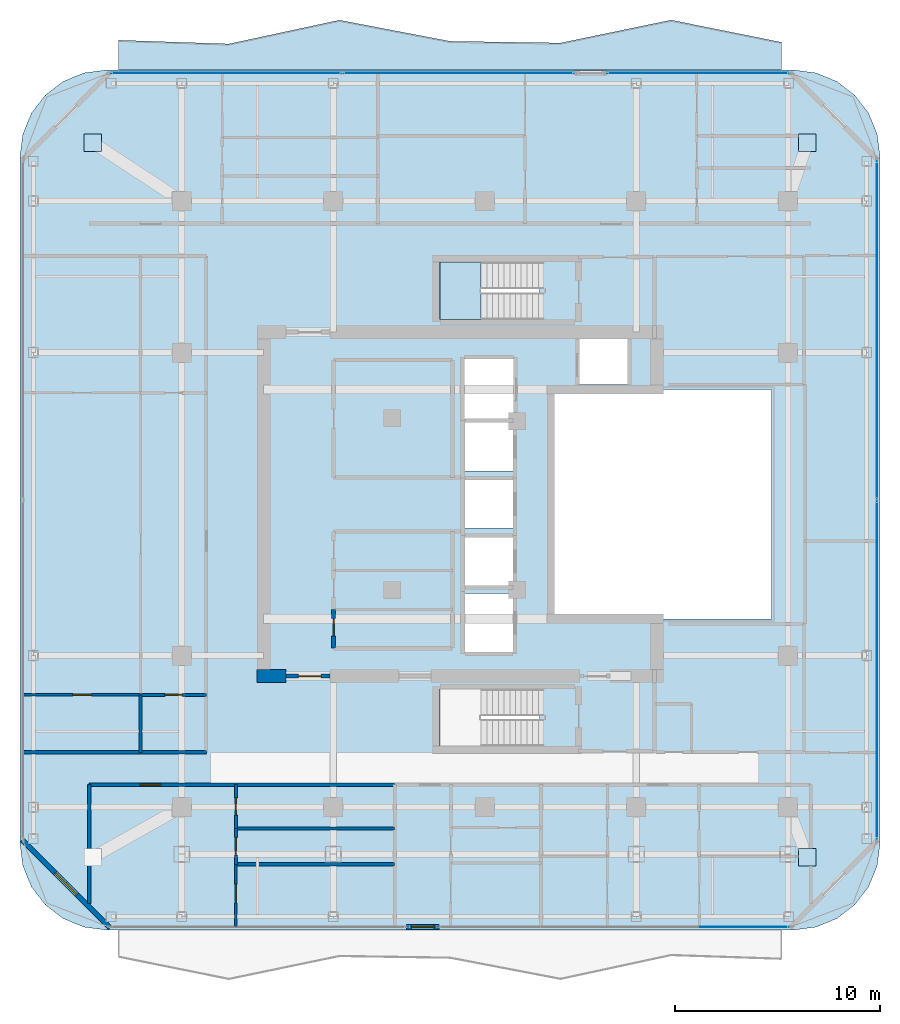
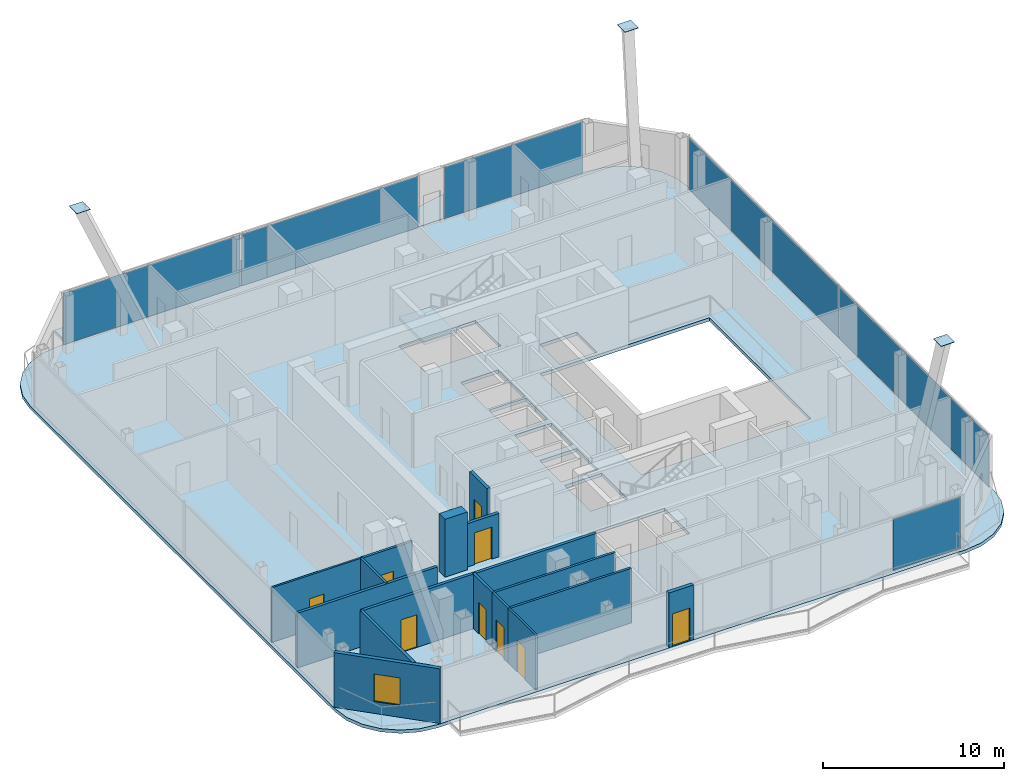
# One storey, part 17 of 24: 16 walls, 10 plates, 9 doors, 3 slabs, 1 window, 10 openings, 5 elements without a shape of their own.
"""IFC4 building model written with IfcOpenShell, lengths in metres."""

from ifc_helpers import new_model, si_unit, direction, frame, frame_2d, origin, origin_2d, place, context, subcontext, project, spatial, polyline, rectangle, outline, extrude, material, layer, layer_set, type_object, element, fill, aggregate, save


model = new_model("IFC4")

# Units and contexts
model_context = context("Model", 3, precision=1e-05, world=origin(), true_north=direction((0.0, 1.0)))
body_context = subcontext(model_context, "Body", "Model", "MODEL_VIEW")
ifc_project = project(units=[si_unit("LENGTHUNIT", "METRE"), si_unit("AREAUNIT", "SQUARE_METRE"), si_unit("VOLUMEUNIT", "CUBIC_METRE"), si_unit("PLANEANGLEUNIT", "RADIAN"), si_unit("MASSUNIT", "GRAM", prefix="KILO")], contexts=[model_context])

# Site, building, storey
site_placement = place(None, origin())
site = spatial("IfcSite", under=ifc_project, at=site_placement, CompositionType="ELEMENT")
building_placement = place(site_placement, origin())
building = spatial("IfcBuilding", under=site, at=building_placement, Name="Khorvyn Point Tower", CompositionType="ELEMENT")
storey_placement = place(building_placement, frame((0.0, 0.0, 301.5)))
storey = spatial("IfcBuildingStorey", under=building, at=storey_placement, Name="L74", CompositionType="ELEMENT", Elevation=301.5)

# Slabs
ifc_material_1 = material(Name="Concrete C35/45", Category="concrete")
ifc_layer_1 = layer(ifc_material_1, 0.219970703125)
ifc_layer_set_1 = layer_set([ifc_layer_1], Name="Concrete C35/45 Structural Floor Slab 220")
slab_type_1 = type_object("IfcSlabType", Name="Concrete C35/45 Structural Floor Slab 220", PredefinedType="FLOOR", material=ifc_layer_set_1)
slab_1_placement = place(storey_placement, frame((0.0, 0.0, -0.219970703125)))
element("IfcSlab", 1, at=slab_1_placement, inside=storey, type_object=slab_type_1, Name="L74 Main Structural Floor Slab", PredefinedType="FLOOR", context=body_context, shape_type="SweptSolid", body=[
    extrude(outline(polyline([(-18.5, -20.800048828125), (-19.5869140625, -20.656982421875), (-20.60009765625, -20.2373046875), (-21.4697265625, -19.56982421875), (-22.13720703125, -18.699951171875), (-22.556884765625, -17.68701171875), (-22.699951171875, -16.60009765625), (-22.699951171875, 17.0), (-22.556884765625, 18.0869140625), (-22.13720703125, 19.10009765625), (-21.4697265625, 19.9697265625), (-20.60009765625, 20.63720703125), (-19.5869140625, 21.056884765625), (-18.5, 21.199951171875), (15.10009765625, 21.199951171875), (16.18701171875, 21.056884765625), (17.199951171875, 20.63720703125), (18.06982421875, 19.9697265625), (18.7373046875, 19.10009765625), (19.156982421875, 18.0869140625), (19.300048828125, 17.0), (19.300048828125, -16.60009765625), (19.156982421875, -17.68701171875), (18.7373046875, -18.699951171875), (18.06982421875, -19.56982421875), (17.199951171875, -20.2373046875), (16.18701171875, -20.656982421875), (15.10009765625, -20.800048828125), (-18.5, -20.800048828125)]), holes=[polyline([(2.679931640625, -11.820068359375), (2.679931640625, -9.02001953125), (-2.199951171875, -9.02001953125), (-2.199951171875, -11.820068359375), (2.679931640625, -11.820068359375)]), polyline([(1.375, -7.22509765625), (1.375, -4.375), (-0.97509765625, -4.375), (-0.97509765625, -7.22509765625), (1.375, -7.22509765625)]), polyline([(1.375, -3.97509765625), (1.375, -1.625), (-0.97509765625, -1.625), (-0.97509765625, -3.97509765625), (1.375, -3.97509765625)]), polyline([(1.375, -1.175048828125), (1.375, 1.175048828125), (-0.97509765625, 1.175048828125), (-0.97509765625, -1.175048828125), (1.375, -1.175048828125)]), polyline([(14.0, -5.60009765625), (14.0, 5.60009765625), (3.199951171875, 5.60009765625), (3.199951171875, -5.60009765625), (14.0, -5.60009765625)]), polyline([(1.375, 1.625), (1.375, 3.97509765625), (-0.97509765625, 3.97509765625), (-0.97509765625, 1.625), (1.375, 1.625)]), polyline([(1.39990234375, 4.125), (1.39990234375, 7.074951171875), (-1.0, 7.074951171875), (-1.0, 4.125), (1.39990234375, 4.125)]), polyline([(4.625, 5.85009765625), (6.97509765625, 5.85009765625), (6.97509765625, 8.054931640625), (4.625, 8.054931640625), (4.625, 5.85009765625)]), polyline([(-2.199951171875, 9.02001953125), (2.679931640625, 9.02001953125), (2.679931640625, 11.820068359375), (-2.199951171875, 11.820068359375), (-2.199951171875, 9.02001953125)])]), origin(), (0.0, 0.0, 1.0), 0.219970703125),
])
ifc_material_2 = material(Name="Concrete C40/50", Category="concrete")
ifc_layer_2 = layer(ifc_material_2, 0.2099609375)
ifc_layer_set_2 = layer_set([ifc_layer_2], Name="Concrete C40/50 Rippling Balcony Slab 210")
slab_type_2 = type_object("IfcSlabType", Name="Concrete C40/50 Rippling Balcony Slab 210", PredefinedType="USERDEFINED", material=ifc_layer_set_2)
slab_2_placement = place(storey_placement, frame((0.0, 0.0, -0.2099609375)))
element("IfcSlab", 2, at=slab_2_placement, inside=storey, type_object=slab_type_2, Name="L74 North Sinusoidal Rippling Balcony", ObjectType="BALCONY", PredefinedType="USERDEFINED", context=body_context, shape_type="SweptSolid", body=[
    extrude(outline(polyline([(14.5, 21.199951171875), (14.5, 22.554931640625), (9.10009765625, 23.642333984375), (3.699951171875, 22.522705078125), (-1.699951171875, 22.60546875), (-7.10009765625, 23.638427734375), (-12.5, 22.47607421875), (-17.89990234375, 22.65771484375), (-17.89990234375, 21.199951171875), (14.5, 21.199951171875)])), origin(), (0.0, 0.0, 1.0), 0.2099609375),
])

# Stair, slab
stair_type = type_object("IfcStairType", Name="Tower Concrete C40/50 Dogleg Exit Stair", PredefinedType="HALF_TURN_STAIR", material=ifc_material_2)
stair_placement = place(storey_placement, origin())
stair = element("IfcStair", 3, at=stair_placement, inside=storey, type_object=stair_type, Name="L74 Tower Smokeproof Exit Stair North", PredefinedType="HALF_TURN_STAIR")
ifc_layer_3 = layer(ifc_material_2, 0.199951171875)
ifc_layer_set_3 = layer_set([ifc_layer_3], Name="Concrete C40/50 Stair Landing Slab 200")
slab_type_3 = type_object("IfcSlabType", Name="Concrete C40/50 Stair Landing Slab 200", PredefinedType="LANDING", material=ifc_layer_set_3)
slab_3_placement = place(storey_placement, frame((0.0, 0.0, 1.75)))
slab_3 = element("IfcSlab", 4, at=slab_3_placement, type_object=slab_type_3, Name="ST-02 landing 1", PredefinedType="LANDING", context=body_context, shape_type="SweptSolid", body=[
    extrude(outline(polyline([(-0.179931640625, 11.820068359375), (-2.199951171875, 11.820068359375), (-2.199951171875, 9.02001953125), (-0.179931640625, 9.02001953125), (-0.179931640625, 11.820068359375)])), origin(), (0.0, 0.0, 1.0), 0.199951171875),
])
aggregate(stair, [slab_3])

# Plates
ifc_material_3 = material(Name="Steel S450", Category="steel")
ifc_layer_4 = layer(ifc_material_3, 0.031982421875)
ifc_layer_set_4 = layer_set([ifc_layer_4], Name="Steel S450 Exoskeleton End Cap Plate 32")
plate_type_1 = type_object("IfcPlateType", Name="Steel S450 Exoskeleton End Cap Plate 32", PredefinedType="USERDEFINED", material=ifc_layer_set_4)
for number, where, z_axis, x_axis, name in (
    (5, (15.750732421875, -17.251953125, 11.69384765625), (0.0, 0.0, 1.0), (1.0, 0.0, 0.0), "Plate"),
    (6, (15.750732421875, 17.65234375, 11.69384765625), (0.0, 0.0, 1.0), (1.0, 0.0, 0.0), "Plate"),
    (7, (-19.1533203125, 17.652099609375, 11.69287109375), (0.0, 0.0, 1.0), (1.0, 0.0, 0.0), "Plate"),
):
    element("IfcPlate", number, at=place(storey_placement, frame(where, z_axis=z_axis, x_axis=x_axis)), inside=storey, type_object=plate_type_1, Name=name, ObjectType="GUSSET", PredefinedType="USERDEFINED", context=body_context, shape_type="SweptSolid", body=[
        extrude(rectangle(XDim=0.860107421875, YDim=0.860107421875, at=origin_2d()), origin(), (0.0, 0.0, 1.0), 0.031982421875),
    ])

# Curtain wall, plate
ifc_material_4 = material(Name="Anodised aluminium 6063-T6 and laminated Low-E glass", Category="aluminium")
ifc_layer_5 = layer(ifc_material_4, 0.18994140625)
ifc_layer_set_5 = layer_set([ifc_layer_5], Name="Stick-Built High-Wind Curtain Wall CW-SYS-04")
curtain_wall_type = type_object("IfcCurtainWallType", Name="Stick-Built High-Wind Curtain Wall CW-SYS-04", PredefinedType="NOTDEFINED", material=ifc_layer_set_5)
curtain_wall_1_placement = place(storey_placement, origin())
curtain_wall_1 = element("IfcCurtainWall", 8, at=curtain_wall_1_placement, inside=storey, type_object=curtain_wall_type, Name="Curtain Wall", PredefinedType="NOTDEFINED")
ifc_material_5 = material(Name="Laminated Low-E insulated glass", Category="glass")
ifc_layer_6 = layer(ifc_material_5, 0.028076171875)
ifc_layer_set_6 = layer_set([ifc_layer_6], Name="Tempered Low-E Vision Glazing Panel CW-GL28")
plate_type_2 = type_object("IfcPlateType", Name="Tempered Low-E Vision Glazing Panel CW-GL28", PredefinedType="CURTAIN_PANEL", material=ifc_layer_set_6)
plate_1_placement = place(storey_placement, frame((12.68994140625, -20.64990234375, 0.10009765625), z_axis=(0.0, 0.0, 1.0), x_axis=(-1.0, 0.0, 0.0)))
plate_1 = element("IfcPlate", 9, at=plate_1_placement, type_object=plate_type_2, Name="Panel", PredefinedType="CURTAIN_PANEL", context=body_context, shape_type="SweptSolid", body=[
    extrude(rectangle(XDim=4.31201171875, YDim=0.028076171875, at=origin_2d()), origin(), (0.0, 0.0, 1.0), 3.47998046875),
])
aggregate(curtain_wall_1, [plate_1])

# Curtain wall, plates
curtain_wall_2_placement = place(storey_placement, origin())
curtain_wall_2 = element("IfcCurtainWall", 10, at=curtain_wall_2_placement, inside=storey, type_object=curtain_wall_type, Name="Curtain Wall", PredefinedType="NOTDEFINED")
plate_2_placement = place(storey_placement, frame((-12.62646484375, 21.050048828125, 0.10009765625), z_axis=(0.0, 0.0, 1.0), x_axis=(1.0, 0.0, 0.0)))
plate_2 = element("IfcPlate", 11, at=plate_2_placement, type_object=plate_type_2, Name="Panel", PredefinedType="CURTAIN_PANEL", context=body_context, shape_type="SweptSolid", body=[
    extrude(rectangle(XDim=11.2470703125, YDim=0.028076171875, at=origin_2d()), origin(), (0.0, 0.0, 1.0), 3.47998046875),
])
plate_3_placement = place(storey_placement, frame((-6.093505859375, 21.050048828125, 0.10009765625), z_axis=(0.0, 0.0, 1.0), x_axis=(1.0, 0.0, 0.0)))
plate_3 = element("IfcPlate", 12, at=plate_3_placement, type_object=plate_type_2, Name="Panel", PredefinedType="CURTAIN_PANEL", context=body_context, shape_type="SweptSolid", body=[
    extrude(rectangle(XDim=1.611083984375, YDim=0.028076171875, at=origin_2d()), origin(), (0.0, 0.0, 1.0), 3.47998046875),
])
plate_4_placement = place(storey_placement, frame((-0.469970703125, 21.050048828125, 0.10009765625), z_axis=(0.0, 0.0, 1.0), x_axis=(1.0, 0.0, 0.0)))
plate_4 = element("IfcPlate", 13, at=plate_4_placement, type_object=plate_type_2, Name="Panel", PredefinedType="CURTAIN_PANEL", context=body_context, shape_type="SweptSolid", body=[
    extrude(rectangle(XDim=9.6201171875, YDim=0.028076171875, at=origin_2d()), origin(), (0.0, 0.0, 1.0), 3.47998046875),
])
aggregate(curtain_wall_2, [plate_2, plate_3, plate_4])

# Curtain wall, plate
curtain_wall_3_placement = place(storey_placement, origin())
curtain_wall_3 = element("IfcCurtainWall", 14, at=curtain_wall_3_placement, inside=storey, type_object=curtain_wall_type, Name="Curtain Wall", PredefinedType="NOTDEFINED")
plate_5_placement = place(storey_placement, frame((10.4169921875, 21.050048828125, 0.10009765625), z_axis=(0.0, 0.0, 1.0), x_axis=(1.0, 0.0, 0.0)))
plate_5 = element("IfcPlate", 15, at=plate_5_placement, type_object=plate_type_2, Name="Panel", PredefinedType="CURTAIN_PANEL", context=body_context, shape_type="SweptSolid", body=[
    extrude(rectangle(XDim=8.865966796875, YDim=0.028076171875, at=origin_2d()), origin(), (0.0, 0.0, 1.0), 3.47998046875),
])
aggregate(curtain_wall_3, [plate_5])

# Curtain wall, plates
curtain_wall_4_placement = place(storey_placement, origin())
curtain_wall_4 = element("IfcCurtainWall", 16, at=curtain_wall_4_placement, inside=storey, type_object=curtain_wall_type, Name="Curtain Wall", PredefinedType="NOTDEFINED")
plate_6_placement = place(storey_placement, frame((19.14990234375, 8.5, 0.10009765625), z_axis=(0.0, 0.0, 1.0), x_axis=(0.0, -1.0, 0.0)))
plate_6 = element("IfcPlate", 17, at=plate_6_placement, type_object=plate_type_2, Name="Panel", PredefinedType="CURTAIN_PANEL", context=body_context, shape_type="SweptSolid", body=[
    extrude(rectangle(XDim=16.5, YDim=0.028076171875, at=origin_2d()), origin(), (0.0, 0.0, 1.0), 3.47998046875),
])
plate_7_placement = place(storey_placement, frame((19.14990234375, -8.10009765625, 0.10009765625), z_axis=(0.0, 0.0, 1.0), x_axis=(0.0, -1.0, 0.0)))
plate_7 = element("IfcPlate", 18, at=plate_7_placement, type_object=plate_type_2, Name="Panel", PredefinedType="CURTAIN_PANEL", context=body_context, shape_type="SweptSolid", body=[
    extrude(rectangle(XDim=16.5, YDim=0.028076171875, at=origin_2d()), origin(), (0.0, 0.0, 1.0), 3.47998046875),
])
aggregate(curtain_wall_4, [plate_6, plate_7])

# Wall, opening, door
ifc_material_6 = material(Name="Double acoustic gypsum on twin steel stud", Category="steel")
ifc_layer_7 = layer(ifc_material_6, 0.179931640625)
ifc_layer_set_7 = layer_set([ifc_layer_7], Name="Acoustic Double-Stud Apartment Demising Wall 180")
wall_type_1 = type_object("IfcWallType", Name="Acoustic Double-Stud Apartment Demising Wall 180", PredefinedType="PARTITIONING", material=ifc_layer_set_7)
wall_1_placement = place(storey_placement, frame((-19.320068359375, -13.699951171875, 0.0), z_axis=(0.0, 0.0, 1.0), x_axis=(1.0, 0.0, 0.0)))
wall_1 = element("IfcWall", 19, at=wall_1_placement, inside=storey, type_object=wall_type_1, Name="Wall", PredefinedType="PARTITIONING", context=body_context, shape_type="SweptSolid", body=[
    extrude(rectangle(XDim=14.91796875, YDim=0.179931640625, at=frame_2d((7.458984375, 0.0))), origin(), (0.0, 0.0, 1.0), 3.679931640625),
])
opening_1_placement = place(wall_1_placement, frame((2.486083984375, 0.0, 0.0)))
opening_1 = element("IfcOpeningElement", 20, at=opening_1_placement, cuts=wall_1, Name="Opening ID-AP60", PredefinedType="OPENING", context=body_context, shape_type="SweptSolid", body=[
    extrude(rectangle(XDim=1.0, YDim=2.199951171875, at=frame_2d((0.5, 1.10009765625))), frame((0.0, 0.099853515625, 0.0), z_axis=(0.0, -1.0, 0.0), x_axis=(1.0, 0.0, 0.0)), (0.0, 0.0, 1.0), 0.199951171875),
])
ifc_material_7 = material(Name="Engineered hardwood fire-rated leaf", Category="wood")
door_type_1 = type_object("IfcDoorType", Name="Acoustic Solid-Core Timber Apartment Entrance Door 1000x2200", OperationType="NOTDEFINED", PredefinedType="DOOR", material=ifc_material_7)
door_1_placement = place(opening_1_placement, origin())
door_1 = element("IfcDoor", 21, at=door_1_placement, inside=storey, type_object=door_type_1, Name="Door", OperationType="SINGLE_SWING_LEFT", OverallHeight=2.199951171875, OverallWidth=1.0, PredefinedType="DOOR", context=body_context, shape_type="SweptSolid", body=[
    extrude(rectangle(XDim=1.0, YDim=2.199951171875, at=frame_2d((0.5, 1.10009765625))), frame((0.0, 0.02490234375, 0.0), z_axis=(0.0, -1.0, 0.0), x_axis=(1.0, 0.0, 0.0)), (0.0, 0.0, 1.0), 0.050048828125),
])
fill(opening_1, door_1)

# Walls
wall_2_placement = place(storey_placement, frame((-19.320068359375, -19.510009765625, 0.0), z_axis=(0.0, 0.0, 1.0), x_axis=(0.0, 1.0, 0.0)))
element("IfcWall", 22, at=wall_2_placement, inside=storey, type_object=wall_type_1, Name="Wall", PredefinedType="PARTITIONING", context=body_context, shape_type="SweptSolid", body=[
    extrude(rectangle(XDim=5.81005859375, YDim=0.179931640625, at=frame_2d((2.905029296875, 0.0))), origin(), (0.0, 0.0, 1.0), 3.679931640625),
])
wall_3_placement = place(storey_placement, frame((-22.530029296875, -12.1201171875, 0.0), z_axis=(0.0, 0.0, 1.0), x_axis=(1.0, 0.0, 0.0)))
element("IfcWall", 23, at=wall_3_placement, inside=storey, type_object=wall_type_1, Name="Wall", PredefinedType="PARTITIONING", context=body_context, shape_type="SweptSolid", body=[
    extrude(rectangle(XDim=8.929931640625, YDim=0.179931640625, at=frame_2d((4.46484375, 0.0))), origin(), (0.0, 0.0, 1.0), 3.679931640625),
])

# Wall, opening, door
ifc_material_8 = material(Name="Pale anodised aluminium rainscreen on steel stud", Category="steel")
ifc_layer_8 = layer(ifc_material_8, 0.239990234375)
ifc_layer_set_8 = layer_set([ifc_layer_8], Name="Anodised Aluminium Insulated Corner Spandrel Wall 240")
wall_type_2 = type_object("IfcWallType", Name="Anodised Aluminium Insulated Corner Spandrel Wall 240", PredefinedType="SOLIDWALL", material=ifc_layer_set_8)
wall_4_placement = place(storey_placement, frame((-2.237060546875, -20.64990234375, 0.0), z_axis=(0.0, 0.0, 1.0), x_axis=(-1.0, 0.0, 0.0)))
wall_4 = element("IfcWall", 24, at=wall_4_placement, inside=storey, type_object=wall_type_2, Name="L74 South Outdoor Threshold Wall", PredefinedType="SOLIDWALL", context=body_context, shape_type="SweptSolid", body=[
    extrude(rectangle(XDim=1.579833984375, YDim=0.239990234375, at=frame_2d((0.7900390625, 0.0))), origin(), (0.0, 0.0, 1.0), 3.679931640625),
])
opening_2_placement = place(wall_4_placement, frame((0.239990234375, 0.0, 0.0)))
opening_2 = element("IfcOpeningElement", 25, at=opening_2_placement, cuts=wall_4, Name="Opening BD-1122", PredefinedType="OPENING", context=body_context, shape_type="SweptSolid", body=[
    extrude(rectangle(XDim=1.10009765625, YDim=2.199951171875, at=frame_2d((0.550048828125, 1.10009765625))), frame((0.0, 0.1298828125, 0.0), z_axis=(0.0, -1.0, 0.0), x_axis=(1.0, 0.0, 0.0)), (0.0, 0.0, 1.0), 0.260009765625),
])
door_type_2 = type_object("IfcDoorType", Name="Glazed Balcony and Terrace Threshold Door 1100x2200", OperationType="NOTDEFINED", PredefinedType="DOOR", material=ifc_material_4)
door_2_placement = place(opening_2_placement, origin())
door_2 = element("IfcDoor", 26, at=door_2_placement, inside=storey, type_object=door_type_2, Name="L74 South Glazed Balcony Outdoor Door", OperationType="SINGLE_SWING_LEFT", OverallHeight=2.199951171875, OverallWidth=1.10009765625, PredefinedType="DOOR", context=body_context, shape_type="SweptSolid", body=[
    extrude(rectangle(XDim=1.10009765625, YDim=2.199951171875, at=frame_2d((0.550048828125, 1.10009765625))), frame((0.0, 0.02490234375, 0.0), z_axis=(0.0, -1.0, 0.0), x_axis=(1.0, 0.0, 0.0)), (0.0, 0.0, 1.0), 0.050048828125),
])
fill(opening_2, door_2)

# Wall, opening, window
wall_5_placement = place(storey_placement, frame((-18.3076171875, -20.6923828125, 0.0), z_axis=(0.0, 0.0, 1.0), x_axis=(-0.707106781187, 0.707106781187, 0.0)))
wall_5 = element("IfcWall", 27, at=wall_5_placement, inside=storey, type_object=wall_type_2, Name="L74 Rounded Corner Wall SW", PredefinedType="SOLIDWALL", context=body_context, shape_type="SweptSolid", body=[
    extrude(rectangle(XDim=6.059326171875, YDim=0.239990234375, at=frame_2d((3.02978515625, 0.0))), origin(), (0.0, 0.0, 1.0), 3.679931640625),
])
opening_3_placement = place(wall_5_placement, frame((2.27978515625, 0.0, 0.800048828125)))
opening_3 = element("IfcOpeningElement", 28, at=opening_3_placement, cuts=wall_5, Name="Opening WN-1518", PredefinedType="OPENING", context=body_context, shape_type="SweptSolid", body=[
    extrude(rectangle(XDim=1.5, YDim=1.85009765625, at=frame_2d((0.75, 0.925048828125))), frame((0.0, 0.1298828125, 0.0), z_axis=(0.0, -1.0, 0.0), x_axis=(1.0, 0.0, 0.0)), (0.0, 0.0, 1.0), 0.260009765625),
])
window_type = type_object("IfcWindowType", Name="Anodised Aluminium Rounded-Corner Panoramic Window 1500x1850", PartitioningType="SINGLE_PANEL", PredefinedType="WINDOW", material=ifc_material_4)
window_placement = place(opening_3_placement, origin())
window = element("IfcWindow", 29, at=window_placement, inside=storey, type_object=window_type, Name="L74 Corner Panoramic Window SW", OverallHeight=1.85009765625, OverallWidth=1.5, PartitioningType="SINGLE_PANEL", PredefinedType="WINDOW", context=body_context, shape_type="SweptSolid", body=[
    extrude(rectangle(XDim=1.5, YDim=1.85009765625, at=frame_2d((0.75, 0.925048828125))), frame((0.0, 0.030029296875, 0.0), z_axis=(0.0, -1.0, 0.0), x_axis=(1.0, 0.0, 0.0)), (0.0, 0.0, 1.0), 0.06005859375),
])
fill(opening_3, window)

# Wall
ifc_layer_9 = layer(ifc_material_2, 0.64990234375)
ifc_layer_set_9 = layer_set([ifc_layer_9], Name="Concrete C40/50 Core Shear Wall 650")
wall_type_3 = type_object("IfcWallType", Name="Concrete C40/50 Core Shear Wall 650", PredefinedType="SHEAR", material=ifc_layer_set_9)
wall_6_placement = place(storey_placement, frame((-11.125, -8.39990234375, 0.0), z_axis=(0.0, 0.0, 1.0), x_axis=(1.0, 0.0, 0.0)))
element("IfcWall", 30, at=wall_6_placement, inside=storey, type_object=wall_type_3, Name="Wall", PredefinedType="SHEAR", context=body_context, shape_type="SweptSolid", body=[
    extrude(rectangle(XDim=1.425048828125, YDim=0.64990234375, at=frame_2d((0.71240234375, 0.0))), origin(), (0.0, 0.0, 1.0), 3.89990234375),
])

# Wall, opening, door
ifc_layer_10 = layer(ifc_material_2, 0.199951171875)
ifc_layer_set_10 = layer_set([ifc_layer_10], Name="Concrete C40/50 Fire-Lobby Compartment Wall 200")
wall_type_4 = type_object("IfcWallType", Name="Concrete C40/50 Fire-Lobby Compartment Wall 200", PredefinedType="SOLIDWALL", material=ifc_layer_set_10)
wall_7_placement = place(storey_placement, frame((-9.699951171875, -8.39990234375, 0.0), z_axis=(0.0, 0.0, 1.0), x_axis=(1.0, 0.0, 0.0)))
wall_7 = element("IfcWall", 31, at=wall_7_placement, inside=storey, type_object=wall_type_4, Name="Wall", PredefinedType="SOLIDWALL", context=body_context, shape_type="SweptSolid", body=[
    extrude(rectangle(XDim=2.14990234375, YDim=0.199951171875, at=frame_2d((1.074951171875, 0.0))), origin(), (0.0, 0.0, 1.0), 2.919921875),
])
opening_4_placement = place(wall_7_placement, frame((0.597900390625, 0.0, 0.0)))
opening_4 = element("IfcOpeningElement", 32, at=opening_4_placement, cuts=wall_7, Name="Opening ID-FL90", PredefinedType="OPENING", context=body_context, shape_type="SweptSolid", body=[
    extrude(rectangle(XDim=1.10009765625, YDim=2.14990234375, at=frame_2d((0.550048828125, 1.074951171875))), frame((0.0, 0.10986328125, 0.0), z_axis=(0.0, -1.0, 0.0), x_axis=(1.0, 0.0, 0.0)), (0.0, 0.0, 1.0), 0.219970703125),
])
ifc_material_9 = material(Name="Galvanised powder-coated steel", Category="steel")
door_type_3 = type_object("IfcDoorType", Name="Fire-Rated Steel Lobby and Stair Door 1100x2150", OperationType="NOTDEFINED", PredefinedType="DOOR", material=ifc_material_9)
door_3_placement = place(opening_4_placement, origin())
door_3 = element("IfcDoor", 33, at=door_3_placement, inside=storey, type_object=door_type_3, Name="Door", OperationType="SINGLE_SWING_RIGHT", OverallHeight=2.14990234375, OverallWidth=1.10009765625, PredefinedType="DOOR", context=body_context, shape_type="SweptSolid", body=[
    extrude(rectangle(XDim=1.10009765625, YDim=2.14990234375, at=frame_2d((0.550048828125, 1.074951171875))), frame((0.0, 0.02490234375, 0.0), z_axis=(0.0, -1.0, 0.0), x_axis=(1.0, 0.0, 0.0)), (0.0, 0.0, 1.0), 0.050048828125),
])
fill(opening_4, door_3)

wall_8_placement = place(storey_placement, frame((-7.3798828125, -7.0400390625, 0.0), z_axis=(0.0, 0.0, 1.0), x_axis=(0.0, 1.0, 0.0)))
wall_8 = element("IfcWall", 34, at=wall_8_placement, inside=storey, type_object=wall_type_4, Name="Wall", PredefinedType="SOLIDWALL", context=body_context, shape_type="SweptSolid", body=[
    extrude(rectangle(XDim=1.900146484375, YDim=0.199951171875, at=frame_2d((0.9501953125, 0.0))), origin(), (0.0, 0.0, 1.0), 3.679931640625),
])
opening_5_placement = place(wall_8_placement, frame((0.597900390625, 0.0, 0.0)))
opening_5 = element("IfcOpeningElement", 35, at=opening_5_placement, cuts=wall_8, Name="Opening ID-WC85", PredefinedType="OPENING", context=body_context, shape_type="SweptSolid", body=[
    extrude(rectangle(XDim=0.85009765625, YDim=2.10009765625, at=frame_2d((0.425048828125, 1.050048828125))), frame((0.0, 0.10986328125, 0.0), z_axis=(0.0, -1.0, 0.0), x_axis=(1.0, 0.0, 0.0)), (0.0, 0.0, 1.0), 0.219970703125),
])
ifc_material_10 = material(Name="High-pressure laminate on moisture-resistant core", Category="wood")
door_type_4 = type_object("IfcDoorType", Name="Moisture-Resistant Accessible Washroom Door 850x2100", OperationType="NOTDEFINED", PredefinedType="DOOR", material=ifc_material_10)
door_4_placement = place(opening_5_placement, origin())
door_4 = element("IfcDoor", 36, at=door_4_placement, inside=storey, type_object=door_type_4, Name="Door", OperationType="SINGLE_SWING_RIGHT", OverallHeight=2.10009765625, OverallWidth=0.85009765625, PredefinedType="DOOR", context=body_context, shape_type="SweptSolid", body=[
    extrude(rectangle(XDim=0.85009765625, YDim=2.10009765625, at=frame_2d((0.425048828125, 1.050048828125))), frame((0.0, 0.02490234375, 0.0), z_axis=(0.0, -1.0, 0.0), x_axis=(1.0, 0.0, 0.0)), (0.0, 0.0, 1.0), 0.050048828125),
])
fill(opening_5, door_4)

ifc_material_11 = material(Name="Gypsum plasterboard on steel stud", Category="steel")
ifc_layer_11 = layer(ifc_material_11, 0.1201171875)
ifc_layer_set_11 = layer_set([ifc_layer_11], Name="Gypsum Acoustic Stud Room Partition Wall 120")
wall_type_5 = type_object("IfcWallType", Name="Gypsum Acoustic Stud Room Partition Wall 120", PredefinedType="PARTITIONING", material=ifc_layer_set_11)
wall_9_placement = place(storey_placement, frame((-12.158935546875, -20.6298828125, 0.0), z_axis=(0.0, 0.0, 1.0), x_axis=(0.0, 1.0, 0.0)))
wall_9 = element("IfcWall", 37, at=wall_9_placement, inside=storey, type_object=wall_type_5, Name="Wall", PredefinedType="PARTITIONING", context=body_context, shape_type="SweptSolid", body=[
    extrude(rectangle(XDim=3.039794921875, YDim=0.1201171875, at=frame_2d((1.52001953125, 0.0))), origin(), (0.0, 0.0, 1.0), 3.679931640625),
])
opening_6_placement = place(wall_9_placement, frame((1.152587890625, 0.0, 0.0)))
opening_6 = element("IfcOpeningElement", 38, at=opening_6_placement, cuts=wall_9, Name="Opening ID-RM90", PredefinedType="OPENING", context=body_context, shape_type="SweptSolid", body=[
    extrude(rectangle(XDim=0.89990234375, YDim=2.10009765625, at=frame_2d((0.449951171875, 1.050048828125))), frame((0.0, 0.070068359375, 0.0), z_axis=(0.0, -1.0, 0.0), x_axis=(1.0, 0.0, 0.0)), (0.0, 0.0, 1.0), 0.14013671875),
])
ifc_material_12 = material(Name="Engineered oak veneer timber", Category="wood")
door_type_5 = type_object("IfcDoorType", Name="Flush Engineered Timber Room Door 900x2100", OperationType="NOTDEFINED", PredefinedType="DOOR", material=ifc_material_12)
door_5_placement = place(opening_6_placement, origin())
door_5 = element("IfcDoor", 39, at=door_5_placement, inside=storey, type_object=door_type_5, Name="Door", OperationType="SINGLE_SWING_RIGHT", OverallHeight=2.10009765625, OverallWidth=0.89990234375, PredefinedType="DOOR", context=body_context, shape_type="SweptSolid", body=[
    extrude(rectangle(XDim=0.89990234375, YDim=2.10009765625, at=frame_2d((0.449951171875, 1.050048828125))), frame((0.0, 0.02490234375, 0.0), z_axis=(0.0, -1.0, 0.0), x_axis=(1.0, 0.0, 0.0)), (0.0, 0.0, 1.0), 0.050048828125),
])
fill(opening_6, door_5)

wall_10_placement = place(storey_placement, frame((-22.530029296875, -9.320068359375, 0.0), z_axis=(0.0, 0.0, 1.0), x_axis=(1.0, 0.0, 0.0)))
wall_10 = element("IfcWall", 40, at=wall_10_placement, inside=storey, type_object=wall_type_5, Name="Wall", PredefinedType="PARTITIONING", context=body_context, shape_type="SweptSolid", body=[
    extrude(rectangle(XDim=5.720947265625, YDim=0.1201171875, at=frame_2d((2.8603515625, 0.0))), origin(), (0.0, 0.0, 1.0), 3.679931640625),
])
opening_7_placement = place(wall_10_placement, frame((2.410400390625, 0.0, 0.0)))
opening_7 = element("IfcOpeningElement", 41, at=opening_7_placement, cuts=wall_10, Name="Opening ID-RM90", PredefinedType="OPENING", context=body_context, shape_type="SweptSolid", body=[
    extrude(rectangle(XDim=0.89990234375, YDim=2.10009765625, at=frame_2d((0.449951171875, 1.050048828125))), frame((0.0, 0.070068359375, 0.0), z_axis=(0.0, -1.0, 0.0), x_axis=(1.0, 0.0, 0.0)), (0.0, 0.0, 1.0), 0.14013671875),
])
door_6_placement = place(opening_7_placement, origin())
door_6 = element("IfcDoor", 42, at=door_6_placement, inside=storey, type_object=door_type_5, Name="Door", OperationType="SINGLE_SWING_RIGHT", OverallHeight=2.10009765625, OverallWidth=0.89990234375, PredefinedType="DOOR", context=body_context, shape_type="SweptSolid", body=[
    extrude(rectangle(XDim=0.89990234375, YDim=2.10009765625, at=frame_2d((0.449951171875, 1.050048828125))), frame((0.0, 0.02490234375, 0.0), z_axis=(0.0, -1.0, 0.0), x_axis=(1.0, 0.0, 0.0)), (0.0, 0.0, 1.0), 0.050048828125),
])
fill(opening_7, door_6)

ifc_material_13 = material(Name="Moisture-resistant gypsum and cement board", Category="gypsum")
ifc_layer_12 = layer(ifc_material_13, 0.14990234375)
ifc_layer_set_12 = layer_set([ifc_layer_12], Name="Moisture-Resistant Wet-Room Partition Wall 150")
wall_type_6 = type_object("IfcWallType", Name="Moisture-Resistant Wet-Room Partition Wall 150", PredefinedType="PARTITIONING", material=ifc_layer_set_12)
wall_11_placement = place(storey_placement, frame((-12.158935546875, -15.839111328125, 0.0), z_axis=(0.0, 0.0, 1.0), x_axis=(0.0, 1.0, 0.0)))
wall_11 = element("IfcWall", 43, at=wall_11_placement, inside=storey, type_object=wall_type_6, Name="Wall", PredefinedType="PARTITIONING", context=body_context, shape_type="SweptSolid", body=[
    extrude(rectangle(XDim=2.13916015625, YDim=0.14990234375, at=frame_2d((1.069580078125, 0.0))), origin(), (0.0, 0.0, 1.0), 3.679931640625),
])
opening_8_placement = place(wall_11_placement, frame((0.64453125, 0.0, 0.0)))
opening_8 = element("IfcOpeningElement", 44, at=opening_8_placement, cuts=wall_11, Name="Opening ID-WC85", PredefinedType="OPENING", context=body_context, shape_type="SweptSolid", body=[
    extrude(rectangle(XDim=0.85009765625, YDim=2.10009765625, at=frame_2d((0.425048828125, 1.050048828125))), frame((0.0, 0.0849609375, 0.0), z_axis=(0.0, -1.0, 0.0), x_axis=(1.0, 0.0, 0.0)), (0.0, 0.0, 1.0), 0.169921875),
])
door_7_placement = place(opening_8_placement, origin())
door_7 = element("IfcDoor", 45, at=door_7_placement, inside=storey, type_object=door_type_4, Name="Door", OperationType="SINGLE_SWING_RIGHT", OverallHeight=2.10009765625, OverallWidth=0.85009765625, PredefinedType="DOOR", context=body_context, shape_type="SweptSolid", body=[
    extrude(rectangle(XDim=0.85009765625, YDim=2.10009765625, at=frame_2d((0.425048828125, 1.050048828125))), frame((0.0, 0.02490234375, 0.0), z_axis=(0.0, -1.0, 0.0), x_axis=(1.0, 0.0, 0.0)), (0.0, 0.0, 1.0), 0.050048828125),
])
fill(opening_8, door_7)

wall_12_placement = place(storey_placement, frame((-12.158935546875, -17.590087890625, 0.0), z_axis=(0.0, 0.0, 1.0), x_axis=(0.0, 1.0, 0.0)))
wall_12 = element("IfcWall", 46, at=wall_12_placement, inside=storey, type_object=wall_type_6, Name="Wall", PredefinedType="PARTITIONING", context=body_context, shape_type="SweptSolid", body=[
    extrude(rectangle(XDim=1.7509765625, YDim=0.14990234375, at=frame_2d((0.87548828125, 0.0))), origin(), (0.0, 0.0, 1.0), 3.679931640625),
])
opening_9_placement = place(wall_12_placement, frame((0.450439453125, 0.0, 0.0)))
opening_9 = element("IfcOpeningElement", 47, at=opening_9_placement, cuts=wall_12, Name="Opening ID-WC85", PredefinedType="OPENING", context=body_context, shape_type="SweptSolid", body=[
    extrude(rectangle(XDim=0.85009765625, YDim=2.10009765625, at=frame_2d((0.425048828125, 1.050048828125))), frame((0.0, 0.0849609375, 0.0), z_axis=(0.0, -1.0, 0.0), x_axis=(1.0, 0.0, 0.0)), (0.0, 0.0, 1.0), 0.169921875),
])
door_8_placement = place(opening_9_placement, origin())
door_8 = element("IfcDoor", 48, at=door_8_placement, inside=storey, type_object=door_type_4, Name="Door", OperationType="SINGLE_SWING_LEFT", OverallHeight=2.10009765625, OverallWidth=0.85009765625, PredefinedType="DOOR", context=body_context, shape_type="SweptSolid", body=[
    extrude(rectangle(XDim=0.85009765625, YDim=2.10009765625, at=frame_2d((0.425048828125, 1.050048828125))), frame((0.0, 0.02490234375, 0.0), z_axis=(0.0, -1.0, 0.0), x_axis=(1.0, 0.0, 0.0)), (0.0, 0.0, 1.0), 0.050048828125),
])
fill(opening_9, door_8)

wall_13_placement = place(storey_placement, frame((-16.80908203125, -9.320068359375, 0.0), z_axis=(0.0, 0.0, 1.0), x_axis=(1.0, 0.0, 0.0)))
wall_13 = element("IfcWall", 49, at=wall_13_placement, inside=storey, type_object=wall_type_6, Name="Wall", PredefinedType="PARTITIONING", context=body_context, shape_type="SweptSolid", body=[
    extrude(rectangle(XDim=3.208984375, YDim=0.14990234375, at=frame_2d((1.6044921875, 0.0))), origin(), (0.0, 0.0, 1.0), 3.679931640625),
])
opening_10_placement = place(wall_13_placement, frame((1.179443359375, 0.0, 0.0)))
opening_10 = element("IfcOpeningElement", 50, at=opening_10_placement, cuts=wall_13, Name="Opening ID-WC85", PredefinedType="OPENING", context=body_context, shape_type="SweptSolid", body=[
    extrude(rectangle(XDim=0.85009765625, YDim=2.10009765625, at=frame_2d((0.425048828125, 1.050048828125))), frame((0.0, 0.0849609375, 0.0), z_axis=(0.0, -1.0, 0.0), x_axis=(1.0, 0.0, 0.0)), (0.0, 0.0, 1.0), 0.169921875),
])
door_9_placement = place(opening_10_placement, origin())
door_9 = element("IfcDoor", 51, at=door_9_placement, inside=storey, type_object=door_type_4, Name="Door", OperationType="SINGLE_SWING_LEFT", OverallHeight=2.10009765625, OverallWidth=0.85009765625, PredefinedType="DOOR", context=body_context, shape_type="SweptSolid", body=[
    extrude(rectangle(XDim=0.85009765625, YDim=2.10009765625, at=frame_2d((0.425048828125, 1.050048828125))), frame((0.0, 0.02490234375, 0.0), z_axis=(0.0, -1.0, 0.0), x_axis=(1.0, 0.0, 0.0)), (0.0, 0.0, 1.0), 0.050048828125),
])
fill(opening_10, door_9)

# Walls
for number, where, z_axis, x_axis, name in (
    (52, (-12.158935546875, -15.839111328125, 0.0), (0.0, 0.0, 1.0), (1.0, 0.0, 0.0), "Wall"),
    (53, (-12.158935546875, -17.590087890625, 0.0), (0.0, 0.0, 1.0), (1.0, 0.0, 0.0), "Wall"),
):
    element("IfcWall", number, at=place(storey_placement, frame(where, z_axis=z_axis, x_axis=x_axis)), inside=storey, type_object=wall_type_6, Name=name, PredefinedType="PARTITIONING", context=body_context, shape_type="SweptSolid", body=[
        extrude(rectangle(XDim=7.7568359375, YDim=0.14990234375, at=frame_2d((3.87841796875, 0.0))), origin(), (0.0, 0.0, 1.0), 3.679931640625),
    ])
wall_14_placement = place(storey_placement, frame((-16.80908203125, -12.1201171875, 0.0), z_axis=(0.0, 0.0, 1.0), x_axis=(0.0, 1.0, 0.0)))
element("IfcWall", 54, at=wall_14_placement, inside=storey, type_object=wall_type_6, Name="Wall", PredefinedType="PARTITIONING", context=body_context, shape_type="SweptSolid", body=[
    extrude(rectangle(XDim=2.800048828125, YDim=0.14990234375, at=frame_2d((1.39990234375, 0.0))), origin(), (0.0, 0.0, 1.0), 3.679931640625),
])

save(model, "model.ifc")
